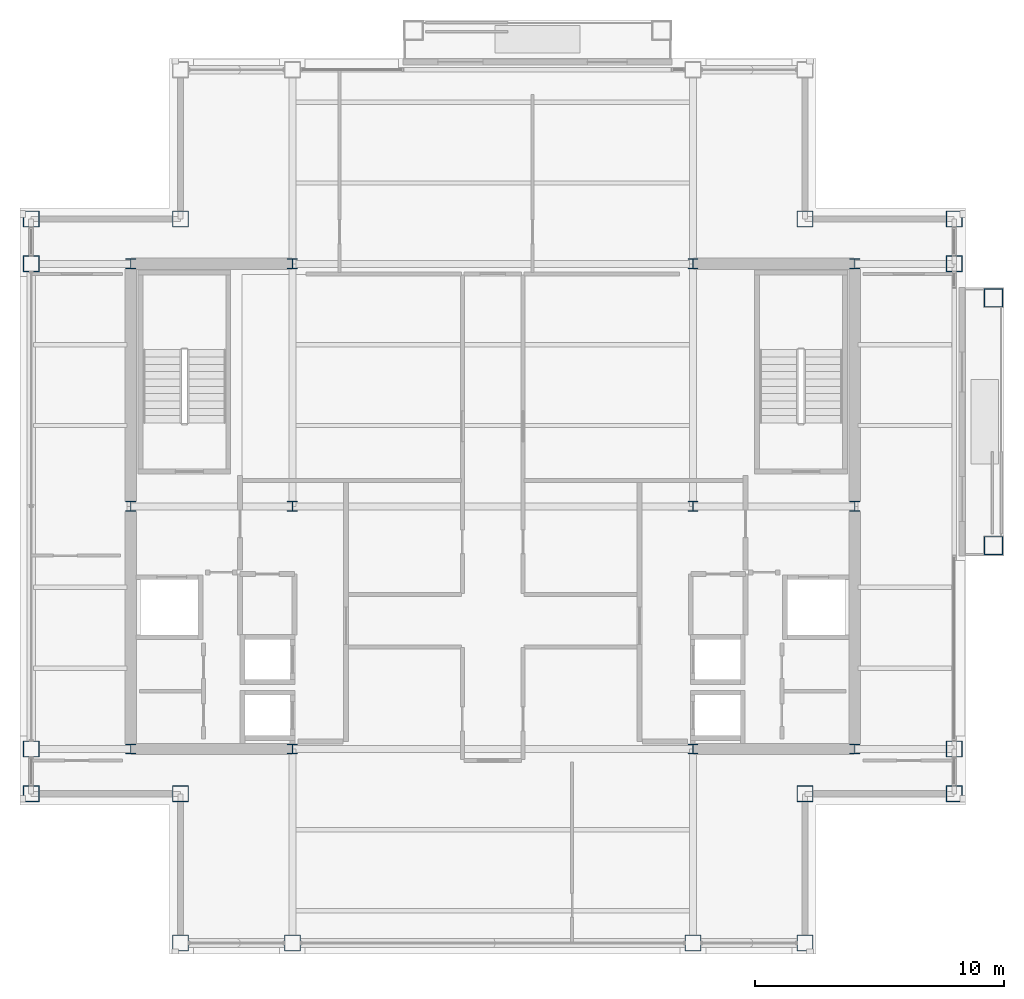
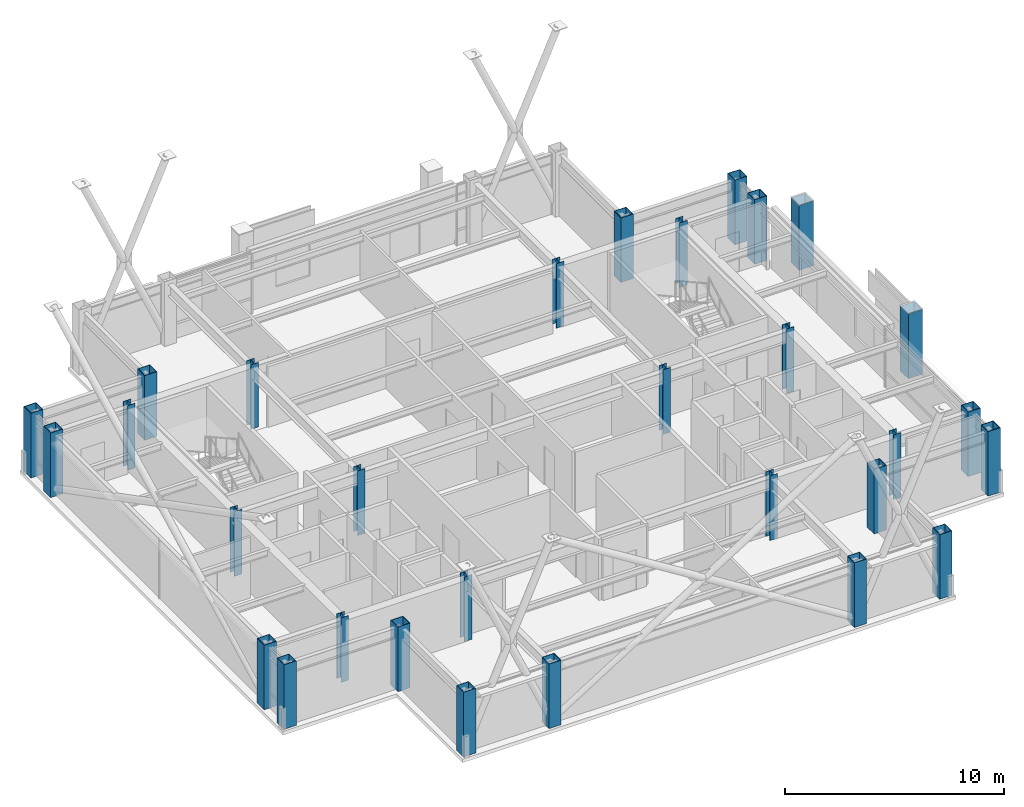
# One storey, part 1 of 28: 30 columns.
"""IFC4 building model written with IfcOpenShell, lengths in metres."""

from ifc_helpers import new_model, si_unit, direction, frame, origin, origin_2d, place, context, subcontext, project, spatial, hollow_rectangle, i_section, extrude, material, material_profile, profile_set, type_object, element, save


model = new_model("IFC4")

# Units and contexts
model_context = context("Model", 3, precision=1e-05, world=origin(), true_north=direction((0.0, 1.0)))
body_context = subcontext(model_context, "Body", "Model", "MODEL_VIEW")
ifc_project = project(units=[si_unit("LENGTHUNIT", "METRE"), si_unit("AREAUNIT", "SQUARE_METRE"), si_unit("VOLUMEUNIT", "CUBIC_METRE"), si_unit("PLANEANGLEUNIT", "RADIAN"), si_unit("MASSUNIT", "GRAM", prefix="KILO")], contexts=[model_context])

# Site, building, storey
site_placement = place(None, origin())
site = spatial("IfcSite", under=ifc_project, at=site_placement, CompositionType="ELEMENT")
building_placement = place(site_placement, origin())
building = spatial("IfcBuilding", under=site, at=building_placement, Name="Brelmoor Portico Tower", CompositionType="ELEMENT")
storey_placement = place(building_placement, frame((0.0, 0.0, 225.60009765625)))
storey = spatial("IfcBuildingStorey", under=building, at=storey_placement, Name="L59", CompositionType="ELEMENT", Elevation=225.60009765625)

# Columns
ifc_material = material(Name="Steel Q355B", Category="steel")
ifc_material_profile_1 = material_profile(ifc_material, hollow_rectangle(XDim=0.64990234375, YDim=0.64990234375, WallThickness=0.028076171875, at=origin_2d()), Name="BOX 650x650x28")
ifc_profile_set_1 = profile_set([ifc_material_profile_1], Name="Steel Q355B")
column_type_1 = type_object("IfcColumnType", Name="COL-MEGA-650", PredefinedType="COLUMN", material=ifc_profile_set_1)
for number, where, z_axis, x_axis, name in (
    (1, (-12.550048828125, -17.550048828125, 0.0), (0.0, 0.0, 1.0), (1.0, 0.0, 0.0), "L59 Perimeter Mega-Column PS01"),
    (2, (-8.050048828125, -17.550048828125, 0.0), (0.0, 0.0, 1.0), (1.0, 0.0, 0.0), "L59 Perimeter Mega-Column PS02"),
    (3, (8.050048828125, -17.550048828125, 0.0), (0.0, 0.0, 1.0), (1.0, 0.0, 0.0), "L59 Perimeter Mega-Column PS03"),
    (4, (12.550048828125, -17.550048828125, 0.0), (0.0, 0.0, 1.0), (1.0, 0.0, 0.0), "L59 Perimeter Mega-Column PS04"),
    (5, (-18.550048828125, -11.550048828125, 0.0), (0.0, 0.0, 1.0), (0.0, 1.0, 0.0), "L59 Perimeter Mega-Column PW01"),
    (6, (-18.550048828125, -9.75, 0.0), (0.0, 0.0, 1.0), (0.0, 1.0, 0.0), "L59 Perimeter Mega-Column PW02"),
    (7, (-18.550048828125, 9.75, 0.0), (0.0, 0.0, 1.0), (0.0, 1.0, 0.0), "L59 Perimeter Mega-Column PW03"),
    (8, (-18.550048828125, 11.550048828125, 0.0), (0.0, 0.0, 1.0), (0.0, 1.0, 0.0), "L59 Perimeter Mega-Column PW04"),
    (9, (18.550048828125, -11.550048828125, 0.0), (0.0, 0.0, 1.0), (0.0, 1.0, 0.0), "L59 Perimeter Mega-Column PE01"),
    (10, (18.550048828125, -9.75, 0.0), (0.0, 0.0, 1.0), (0.0, 1.0, 0.0), "L59 Perimeter Mega-Column PE02"),
    (11, (18.550048828125, 9.75, 0.0), (0.0, 0.0, 1.0), (0.0, 1.0, 0.0), "L59 Perimeter Mega-Column PE03"),
    (12, (18.550048828125, 11.550048828125, 0.0), (0.0, 0.0, 1.0), (0.0, 1.0, 0.0), "L59 Perimeter Mega-Column PE04"),
    (13, (-12.550048828125, 11.550048828125, 0.0), (0.0, 0.0, 1.0), (1.0, 0.0, 0.0), "L59 Perimeter Mega-Column PC-NW"),
    (14, (12.550048828125, 11.550048828125, 0.0), (0.0, 0.0, 1.0), (1.0, 0.0, 0.0), "L59 Perimeter Mega-Column PC-NE"),
    (15, (12.550048828125, -11.550048828125, 0.0), (0.0, 0.0, 1.0), (1.0, 0.0, 0.0), "L59 Perimeter Mega-Column PC-SE"),
    (16, (-12.550048828125, -11.550048828125, 0.0), (0.0, 0.0, 1.0), (1.0, 0.0, 0.0), "L59 Perimeter Mega-Column PC-SW"),
):
    element("IfcColumn", number, at=place(storey_placement, frame(where, z_axis=z_axis, x_axis=x_axis)), inside=storey, type_object=column_type_1, Name=name, PredefinedType="COLUMN", context=body_context, shape_type="SweptSolid", body=[
        extrude(hollow_rectangle(XDim=0.64990234375, YDim=0.64990234375, WallThickness=0.028076171875, at=origin_2d()), origin(), (0.0, 0.0, 1.0), 3.599853515625),
    ])
ifc_material_profile_2 = material_profile(ifc_material, hollow_rectangle(XDim=0.75, YDim=0.75, WallThickness=0.031982421875, at=origin_2d()), Name="BOX 750x750x32")
ifc_profile_set_2 = profile_set([ifc_material_profile_2], Name="Steel Q355B")
column_type_2 = type_object("IfcColumnType", Name="COL-MEGA-750", PredefinedType="COLUMN", material=ifc_profile_set_2)
for number, where, z_axis, x_axis, name in (
    (17, (20.1298828125, -1.580078125, 0.0), (0.0, 0.0, 1.0), (0.0, 1.0, 0.0), "L59 Proud Picture-Frame Pier PFJ-E1"),
    (18, (20.1298828125, 8.3798828125, 0.0), (0.0, 0.0, 1.0), (0.0, 1.0, 0.0), "L59 Proud Picture-Frame Pier PFJ-E2"),
):
    element("IfcColumn", number, at=place(storey_placement, frame(where, z_axis=z_axis, x_axis=x_axis)), inside=storey, type_object=column_type_2, Name=name, PredefinedType="COLUMN", context=body_context, shape_type="SweptSolid", body=[
        extrude(hollow_rectangle(XDim=0.75, YDim=0.75, WallThickness=0.031982421875, at=origin_2d()), origin(), (0.0, 0.0, 1.0), 3.599853515625),
    ])
ifc_material_profile_3 = material_profile(ifc_material, i_section(OverallWidth=0.39990234375, OverallDepth=0.39990234375, WebThickness=0.012939453125, FlangeThickness=0.02099609375, at=origin_2d()), Name="HW 400x400x13x21")
ifc_profile_set_3 = profile_set([ifc_material_profile_3], Name="Steel Q355B")
column_type_3 = type_object("IfcColumnType", Name="COL-SPINE-400", PredefinedType="COLUMN", material=ifc_profile_set_3)
for number, where, z_axis, x_axis, name in (
    (19, (-14.550048828125, -9.75, 0.0), (0.0, 0.0, 1.0), (1.0, 0.0, 0.0), "L59 Core Spine Column CW-SW"),
    (20, (-14.550048828125, 0.0, 0.0), (0.0, 0.0, 1.0), (1.0, 0.0, 0.0), "L59 Core Spine Column CW-MW"),
    (21, (-14.550048828125, 9.75, 0.0), (0.0, 0.0, 1.0), (1.0, 0.0, 0.0), "L59 Core Spine Column CW-NW"),
    (22, (-8.050048828125, -9.75, 0.0), (0.0, 0.0, 1.0), (1.0, 0.0, 0.0), "L59 Core Spine Column CW-SE"),
    (23, (-8.050048828125, 0.0, 0.0), (0.0, 0.0, 1.0), (1.0, 0.0, 0.0), "L59 Core Spine Column CW-ME"),
    (24, (-8.050048828125, 9.75, 0.0), (0.0, 0.0, 1.0), (1.0, 0.0, 0.0), "L59 Core Spine Column CW-NE"),
    (25, (8.050048828125, -9.75, 0.0), (0.0, 0.0, 1.0), (1.0, 0.0, 0.0), "L59 Core Spine Column CE-SW"),
    (26, (8.050048828125, 0.0, 0.0), (0.0, 0.0, 1.0), (1.0, 0.0, 0.0), "L59 Core Spine Column CE-MW"),
    (27, (8.050048828125, 9.75, 0.0), (0.0, 0.0, 1.0), (1.0, 0.0, 0.0), "L59 Core Spine Column CE-NW"),
    (28, (14.550048828125, -9.75, 0.0), (0.0, 0.0, 1.0), (1.0, 0.0, 0.0), "L59 Core Spine Column CE-SE"),
    (29, (14.550048828125, 0.0, 0.0), (0.0, 0.0, 1.0), (1.0, 0.0, 0.0), "L59 Core Spine Column CE-ME"),
    (30, (14.550048828125, 9.75, 0.0), (0.0, 0.0, 1.0), (1.0, 0.0, 0.0), "L59 Core Spine Column CE-NE"),
):
    element("IfcColumn", number, at=place(storey_placement, frame(where, z_axis=z_axis, x_axis=x_axis)), inside=storey, type_object=column_type_3, Name=name, PredefinedType="COLUMN", context=body_context, shape_type="SweptSolid", body=[
        extrude(i_section(OverallWidth=0.39990234375, OverallDepth=0.39990234375, WebThickness=0.012939453125, FlangeThickness=0.02099609375, at=origin_2d()), origin(), (0.0, 0.0, 1.0), 3.599853515625),
    ])

save(model, "model.ifc")
